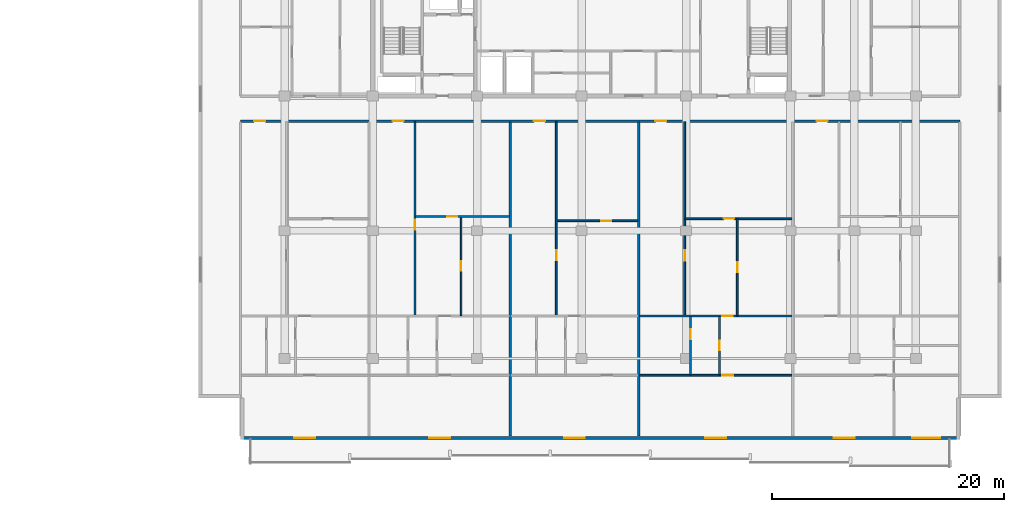
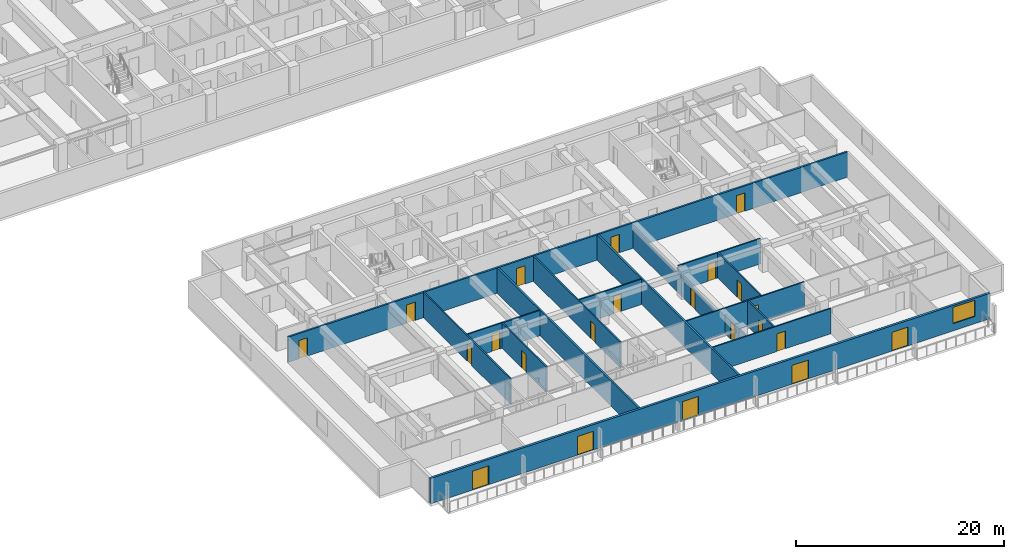
# One storey, part 5 of 23: 22 doors, 16 walls, 1 window, 23 openings.
"""IFC4 building model written with IfcOpenShell, lengths in metres."""

from ifc_helpers import new_model, si_unit, direction, frame, frame_2d, origin, place, context, subcontext, project, spatial, rectangle, extrude, material, layer, layer_set, type_object, element, fill, save


model = new_model("IFC4")

# Units and contexts
model_context = context("Model", 3, precision=1e-05, world=origin(), true_north=direction((0.0, 1.0)))
body_context = subcontext(model_context, "Body", "Model", "MODEL_VIEW")
ifc_project = project(units=[si_unit("LENGTHUNIT", "METRE"), si_unit("AREAUNIT", "SQUARE_METRE"), si_unit("VOLUMEUNIT", "CUBIC_METRE"), si_unit("PLANEANGLEUNIT", "RADIAN"), si_unit("MASSUNIT", "GRAM", prefix="KILO")], contexts=[model_context])

# Site, building, storey
site_placement = place(None, origin())
site = spatial("IfcSite", under=ifc_project, at=site_placement, CompositionType="ELEMENT")
building_placement = place(site_placement, origin())
building = spatial("IfcBuilding", under=site, at=building_placement, Name="Korimba Cascade Residences", CompositionType="ELEMENT")
storey_placement = place(building_placement, frame((0.0, 0.0, 30.5)))
storey = spatial("IfcBuildingStorey", under=building, at=storey_placement, Name="L07", CompositionType="ELEMENT", Elevation=30.5)

# Wall, openings, doors, window
ifc_material_1 = material(Name="Precast concrete C40/50", Category="concrete")
ifc_layer_1 = layer(ifc_material_1, 0.25)
ifc_layer_set_1 = layer_set([ifc_layer_1], Name="Precast concrete C40/50")
wall_type_1 = type_object("IfcWallType", Name="EW-LOG-250", PredefinedType="STANDARD", material=ifc_layer_set_1)
wall_1_placement = place(storey_placement, frame((70.699951171875, -11.050048828125, 0.0), z_axis=(0.0, 0.0, 1.0), x_axis=(1.0, 0.0, 0.0)))
wall_1 = element("IfcWall", 1, at=wall_1_placement, inside=storey, type_object=wall_type_1, Name="L07 T2 Perimeter Stone Wall E00", PredefinedType="STANDARD", context=body_context, shape_type="SweptSolid", body=[
    extrude(rectangle(XDim=62.0, YDim=0.25, at=frame_2d((31.0, 0.0))), origin(), (0.0, 0.0, 1.0), 2.969970703125),
])
opening_1_placement = place(wall_1_placement, frame((4.6357421875, 0.0, 0.0)))
opening_1 = element("IfcOpeningElement", 2, at=opening_1_placement, cuts=wall_1, Name="Opening D-LG1", PredefinedType="OPENING", context=body_context, shape_type="SweptSolid", body=[
    extrude(rectangle(XDim=1.800048828125, YDim=2.199951171875, at=frame_2d((0.89990234375, 1.10009765625))), frame((0.0, 0.135009765625, 0.0), z_axis=(0.0, -1.0, 0.0), x_axis=(1.0, 0.0, 0.0)), (0.0, 0.0, 1.0), 0.27001953125),
])
opening_2_placement = place(wall_1_placement, frame((16.2607421875, 0.0, 0.0)))
opening_2 = element("IfcOpeningElement", 3, at=opening_2_placement, cuts=wall_1, Name="Opening D-LG1", PredefinedType="OPENING", context=body_context, shape_type="SweptSolid", body=[
    extrude(rectangle(XDim=1.800048828125, YDim=2.199951171875, at=frame_2d((0.89990234375, 1.10009765625))), frame((0.0, 0.135009765625, 0.0), z_axis=(0.0, -1.0, 0.0), x_axis=(1.0, 0.0, 0.0)), (0.0, 0.0, 1.0), 0.27001953125),
])
opening_3_placement = place(wall_1_placement, frame((27.8857421875, 0.0, 0.0)))
opening_3 = element("IfcOpeningElement", 4, at=opening_3_placement, cuts=wall_1, Name="Opening D-LG1", PredefinedType="OPENING", context=body_context, shape_type="SweptSolid", body=[
    extrude(rectangle(XDim=1.800048828125, YDim=2.199951171875, at=frame_2d((0.89990234375, 1.10009765625))), frame((0.0, 0.135009765625, 0.0), z_axis=(0.0, -1.0, 0.0), x_axis=(1.0, 0.0, 0.0)), (0.0, 0.0, 1.0), 0.27001953125),
])
opening_4_placement = place(wall_1_placement, frame((40.064208984375, 0.0, 0.0)))
opening_4 = element("IfcOpeningElement", 5, at=opening_4_placement, cuts=wall_1, Name="Opening D-LG1", PredefinedType="OPENING", context=body_context, shape_type="SweptSolid", body=[
    extrude(rectangle(XDim=1.800048828125, YDim=2.199951171875, at=frame_2d((0.89990234375, 1.10009765625))), frame((0.0, 0.135009765625, 0.0), z_axis=(0.0, -1.0, 0.0), x_axis=(1.0, 0.0, 0.0)), (0.0, 0.0, 1.0), 0.27001953125),
])
opening_5_placement = place(wall_1_placement, frame((51.12353515625, 0.0, 0.0)))
opening_5 = element("IfcOpeningElement", 6, at=opening_5_placement, cuts=wall_1, Name="Opening D-LG1", PredefinedType="OPENING", context=body_context, shape_type="SweptSolid", body=[
    extrude(rectangle(XDim=1.800048828125, YDim=2.199951171875, at=frame_2d((0.89990234375, 1.10009765625))), frame((0.0, 0.135009765625, 0.0), z_axis=(0.0, -1.0, 0.0), x_axis=(1.0, 0.0, 0.0)), (0.0, 0.0, 1.0), 0.27001953125),
])
opening_6_placement = place(wall_1_placement, frame((57.89990234375, 0.0, 0.85009765625)))
opening_6 = element("IfcOpeningElement", 7, at=opening_6_placement, cuts=wall_1, Name="Opening W-01", PredefinedType="OPENING", context=body_context, shape_type="SweptSolid", body=[
    extrude(rectangle(XDim=2.39990234375, YDim=1.89990234375, at=frame_2d((1.199951171875, 0.949951171875))), frame((0.0, 0.135009765625, 0.0), z_axis=(0.0, -1.0, 0.0), x_axis=(1.0, 0.0, 0.0)), (0.0, 0.0, 1.0), 0.27001953125),
])
ifc_material_2 = material(Name="Glazed Aluminium Loggia Sliding Door", Category="aluminium")
door_type_1 = type_object("IfcDoorType", Name="DR-EXT-LOG", OperationType="NOTDEFINED", PredefinedType="DOOR", material=ifc_material_2)
door_1_placement = place(opening_1_placement, origin())
door_1 = element("IfcDoor", 8, at=door_1_placement, inside=storey, type_object=door_type_1, Name="L07 T2 Loggia Sliding Door 3", OperationType="SLIDING_TO_RIGHT", OverallHeight=2.199951171875, OverallWidth=1.800048828125, PredefinedType="DOOR", context=body_context, shape_type="SweptSolid", body=[
    extrude(rectangle(XDim=1.800048828125, YDim=2.199951171875, at=frame_2d((0.89990234375, 1.10009765625))), frame((0.0, 0.02490234375, 0.0), z_axis=(0.0, -1.0, 0.0), x_axis=(1.0, 0.0, 0.0)), (0.0, 0.0, 1.0), 0.050048828125),
])
fill(opening_1, door_1)
door_2_placement = place(opening_2_placement, origin())
door_2 = element("IfcDoor", 9, at=door_2_placement, inside=storey, type_object=door_type_1, Name="L07 T2 Loggia Sliding Door 4", OperationType="SLIDING_TO_RIGHT", OverallHeight=2.199951171875, OverallWidth=1.800048828125, PredefinedType="DOOR", context=body_context, shape_type="SweptSolid", body=[
    extrude(rectangle(XDim=1.800048828125, YDim=2.199951171875, at=frame_2d((0.89990234375, 1.10009765625))), frame((0.0, 0.02490234375, 0.0), z_axis=(0.0, -1.0, 0.0), x_axis=(1.0, 0.0, 0.0)), (0.0, 0.0, 1.0), 0.050048828125),
])
fill(opening_2, door_2)
door_3_placement = place(opening_3_placement, origin())
door_3 = element("IfcDoor", 10, at=door_3_placement, inside=storey, type_object=door_type_1, Name="L07 T2 Loggia Sliding Door 5", OperationType="SLIDING_TO_RIGHT", OverallHeight=2.199951171875, OverallWidth=1.800048828125, PredefinedType="DOOR", context=body_context, shape_type="SweptSolid", body=[
    extrude(rectangle(XDim=1.800048828125, YDim=2.199951171875, at=frame_2d((0.89990234375, 1.10009765625))), frame((0.0, 0.02490234375, 0.0), z_axis=(0.0, -1.0, 0.0), x_axis=(1.0, 0.0, 0.0)), (0.0, 0.0, 1.0), 0.050048828125),
])
fill(opening_3, door_3)
door_4_placement = place(opening_4_placement, origin())
door_4 = element("IfcDoor", 11, at=door_4_placement, inside=storey, type_object=door_type_1, Name="L07 T2 Loggia Sliding Door 6", OperationType="SLIDING_TO_RIGHT", OverallHeight=2.199951171875, OverallWidth=1.800048828125, PredefinedType="DOOR", context=body_context, shape_type="SweptSolid", body=[
    extrude(rectangle(XDim=1.800048828125, YDim=2.199951171875, at=frame_2d((0.89990234375, 1.10009765625))), frame((0.0, 0.02490234375, 0.0), z_axis=(0.0, -1.0, 0.0), x_axis=(1.0, 0.0, 0.0)), (0.0, 0.0, 1.0), 0.050048828125),
])
fill(opening_4, door_4)
door_5_placement = place(opening_5_placement, origin())
door_5 = element("IfcDoor", 12, at=door_5_placement, inside=storey, type_object=door_type_1, Name="L07 T2 Loggia Sliding Door 7", OperationType="SLIDING_TO_RIGHT", OverallHeight=2.199951171875, OverallWidth=1.800048828125, PredefinedType="DOOR", context=body_context, shape_type="SweptSolid", body=[
    extrude(rectangle(XDim=1.800048828125, YDim=2.199951171875, at=frame_2d((0.89990234375, 1.10009765625))), frame((0.0, 0.02490234375, 0.0), z_axis=(0.0, -1.0, 0.0), x_axis=(1.0, 0.0, 0.0)), (0.0, 0.0, 1.0), 0.050048828125),
])
fill(opening_5, door_5)
ifc_material_3 = material(Name="Double-Glazed Aluminium Window", Category="aluminium")
window_type = type_object("IfcWindowType", Name="WIN-RES-2400", PartitioningType="DOUBLE_PANEL_VERTICAL", PredefinedType="WINDOW", material=ifc_material_3)
window_placement = place(opening_6_placement, origin())
window = element("IfcWindow", 13, at=window_placement, inside=storey, type_object=window_type, Name="L07 T2 South Facade Window 8", OverallHeight=1.89990234375, OverallWidth=2.39990234375, PartitioningType="DOUBLE_PANEL_VERTICAL", PredefinedType="WINDOW", context=body_context, shape_type="SweptSolid", body=[
    extrude(rectangle(XDim=2.39990234375, YDim=1.89990234375, at=frame_2d((1.199951171875, 0.949951171875))), frame((0.0, 0.030029296875, 0.0), z_axis=(0.0, -1.0, 0.0), x_axis=(1.0, 0.0, 0.0)), (0.0, 0.0, 1.0), 0.06005859375),
])
fill(opening_6, window)

# Walls
ifc_layer_2 = layer(ifc_material_1, 0.199951171875)
ifc_layer_set_2 = layer_set([ifc_layer_2], Name="Precast concrete C40/50")
wall_type_2 = type_object("IfcWallType", Name="WAL-IT-200", PredefinedType="PARTITIONING", material=ifc_layer_set_2)
for number, where, z_axis, x_axis, name in (
    (14, (93.949951171875, -10.89990234375, 0.0), (0.0, 0.0, 1.0), (0.0, 1.0, 0.0), "L07 Partition Wall WAL-L07-T2-DEM-2"),
    (15, (105.021484375, -10.89990234375, 0.0), (0.0, 0.0, 1.0), (0.0, 1.0, 0.0), "L07 Partition Wall WAL-L07-T2-DEM-3"),
):
    element("IfcWall", number, at=place(storey_placement, frame(where, z_axis=z_axis, x_axis=x_axis)), inside=storey, type_object=wall_type_2, Name=name, PredefinedType="PARTITIONING", context=body_context, shape_type="SweptSolid", body=[
        extrude(rectangle(XDim=27.06982421875, YDim=0.199951171875, at=frame_2d((13.534912109375, 0.0))), origin(), (0.0, 0.0, 1.0), 2.969970703125),
    ])

# Wall, openings, doors
wall_2_placement = place(storey_placement, frame((70.699951171875, 16.25, 0.0), z_axis=(0.0, 0.0, 1.0), x_axis=(1.0, 0.0, 0.0)))
wall_2 = element("IfcWall", 16, at=wall_2_placement, inside=storey, type_object=wall_type_2, Name="L07 Partition Wall WAL-L07-T2-CORS", PredefinedType="PARTITIONING", context=body_context, shape_type="SweptSolid", body=[
    extrude(rectangle(XDim=62.0, YDim=0.199951171875, at=frame_2d((31.0, 0.0))), origin(), (0.0, 0.0, 1.0), 2.969970703125),
])
opening_7_placement = place(wall_2_placement, frame((1.18603515625, 0.0, 0.0)))
opening_7 = element("IfcOpeningElement", 17, at=opening_7_placement, cuts=wall_2, Name="Opening D-UN1", PredefinedType="OPENING", context=body_context, shape_type="SweptSolid", body=[
    extrude(rectangle(XDim=0.949951171875, YDim=2.14990234375, at=frame_2d((0.47509765625, 1.074951171875))), frame((0.0, 0.10986328125, 0.0), z_axis=(0.0, -1.0, 0.0), x_axis=(1.0, 0.0, 0.0)), (0.0, 0.0, 1.0), 0.219970703125),
])
opening_8_placement = place(wall_2_placement, frame((13.116455078125, 0.0, 0.0)))
opening_8 = element("IfcOpeningElement", 18, at=opening_8_placement, cuts=wall_2, Name="Opening D-UN1", PredefinedType="OPENING", context=body_context, shape_type="SweptSolid", body=[
    extrude(rectangle(XDim=0.949951171875, YDim=2.14990234375, at=frame_2d((0.47509765625, 1.074951171875))), frame((0.0, 0.10986328125, 0.0), z_axis=(0.0, -1.0, 0.0), x_axis=(1.0, 0.0, 0.0)), (0.0, 0.0, 1.0), 0.219970703125),
])
opening_9_placement = place(wall_2_placement, frame((25.294921875, 0.0, 0.0)))
opening_9 = element("IfcOpeningElement", 19, at=opening_9_placement, cuts=wall_2, Name="Opening D-UN1", PredefinedType="OPENING", context=body_context, shape_type="SweptSolid", body=[
    extrude(rectangle(XDim=0.949951171875, YDim=2.14990234375, at=frame_2d((0.47509765625, 1.074951171875))), frame((0.0, 0.10986328125, 0.0), z_axis=(0.0, -1.0, 0.0), x_axis=(1.0, 0.0, 0.0)), (0.0, 0.0, 1.0), 0.219970703125),
])
opening_10_placement = place(wall_2_placement, frame((35.747314453125, 0.0, 0.0)))
opening_10 = element("IfcOpeningElement", 20, at=opening_10_placement, cuts=wall_2, Name="Opening D-UN1", PredefinedType="OPENING", context=body_context, shape_type="SweptSolid", body=[
    extrude(rectangle(XDim=0.949951171875, YDim=2.14990234375, at=frame_2d((0.47509765625, 1.074951171875))), frame((0.0, 0.10986328125, 0.0), z_axis=(0.0, -1.0, 0.0), x_axis=(1.0, 0.0, 0.0)), (0.0, 0.0, 1.0), 0.219970703125),
])
opening_11_placement = place(wall_2_placement, frame((49.652099609375, 0.0, 0.0)))
opening_11 = element("IfcOpeningElement", 21, at=opening_11_placement, cuts=wall_2, Name="Opening D-UN1", PredefinedType="OPENING", context=body_context, shape_type="SweptSolid", body=[
    extrude(rectangle(XDim=0.949951171875, YDim=2.14990234375, at=frame_2d((0.47509765625, 1.074951171875))), frame((0.0, 0.10986328125, 0.0), z_axis=(0.0, -1.0, 0.0), x_axis=(1.0, 0.0, 0.0)), (0.0, 0.0, 1.0), 0.219970703125),
])
ifc_material_4 = material(Name="Fire-Rated Hardwood Apartment Entrance Door", Category="wood")
door_type_2 = type_object("IfcDoorType", Name="DR-FD60-950", OperationType="NOTDEFINED", PredefinedType="DOOR", material=ifc_material_4)
door_6_placement = place(opening_7_placement, origin())
door_6 = element("IfcDoor", 22, at=door_6_placement, inside=storey, type_object=door_type_2, Name="Unit L07-T2-U01 Entrance Door", OperationType="SINGLE_SWING_LEFT", OverallHeight=2.14990234375, OverallWidth=0.949951171875, PredefinedType="DOOR", context=body_context, shape_type="SweptSolid", body=[
    extrude(rectangle(XDim=0.949951171875, YDim=2.14990234375, at=frame_2d((0.47509765625, 1.074951171875))), frame((0.0, 0.02490234375, 0.0), z_axis=(0.0, -1.0, 0.0), x_axis=(1.0, 0.0, 0.0)), (0.0, 0.0, 1.0), 0.050048828125),
])
fill(opening_7, door_6)
door_7_placement = place(opening_8_placement, origin())
door_7 = element("IfcDoor", 23, at=door_7_placement, inside=storey, type_object=door_type_2, Name="Unit L07-T2-U02 Entrance Door", OperationType="SINGLE_SWING_RIGHT", OverallHeight=2.14990234375, OverallWidth=0.949951171875, PredefinedType="DOOR", context=body_context, shape_type="SweptSolid", body=[
    extrude(rectangle(XDim=0.949951171875, YDim=2.14990234375, at=frame_2d((0.47509765625, 1.074951171875))), frame((0.0, 0.02490234375, 0.0), z_axis=(0.0, -1.0, 0.0), x_axis=(1.0, 0.0, 0.0)), (0.0, 0.0, 1.0), 0.050048828125),
])
fill(opening_8, door_7)
door_8_placement = place(opening_9_placement, origin())
door_8 = element("IfcDoor", 24, at=door_8_placement, inside=storey, type_object=door_type_2, Name="Unit L07-T2-U03 Entrance Door", OperationType="SINGLE_SWING_LEFT", OverallHeight=2.14990234375, OverallWidth=0.949951171875, PredefinedType="DOOR", context=body_context, shape_type="SweptSolid", body=[
    extrude(rectangle(XDim=0.949951171875, YDim=2.14990234375, at=frame_2d((0.47509765625, 1.074951171875))), frame((0.0, 0.02490234375, 0.0), z_axis=(0.0, -1.0, 0.0), x_axis=(1.0, 0.0, 0.0)), (0.0, 0.0, 1.0), 0.050048828125),
])
fill(opening_9, door_8)
door_9_placement = place(opening_10_placement, origin())
door_9 = element("IfcDoor", 25, at=door_9_placement, inside=storey, type_object=door_type_2, Name="Unit L07-T2-U04 Entrance Door", OperationType="SINGLE_SWING_RIGHT", OverallHeight=2.14990234375, OverallWidth=0.949951171875, PredefinedType="DOOR", context=body_context, shape_type="SweptSolid", body=[
    extrude(rectangle(XDim=0.949951171875, YDim=2.14990234375, at=frame_2d((0.47509765625, 1.074951171875))), frame((0.0, 0.02490234375, 0.0), z_axis=(0.0, -1.0, 0.0), x_axis=(1.0, 0.0, 0.0)), (0.0, 0.0, 1.0), 0.050048828125),
])
fill(opening_10, door_9)
door_10_placement = place(opening_11_placement, origin())
door_10 = element("IfcDoor", 26, at=door_10_placement, inside=storey, type_object=door_type_2, Name="Unit L07-T2-U05 Entrance Door", OperationType="SINGLE_SWING_LEFT", OverallHeight=2.14990234375, OverallWidth=0.949951171875, PredefinedType="DOOR", context=body_context, shape_type="SweptSolid", body=[
    extrude(rectangle(XDim=0.949951171875, YDim=2.14990234375, at=frame_2d((0.47509765625, 1.074951171875))), frame((0.0, 0.02490234375, 0.0), z_axis=(0.0, -1.0, 0.0), x_axis=(1.0, 0.0, 0.0)), (0.0, 0.0, 1.0), 0.050048828125),
])
fill(opening_11, door_10)

# Wall, opening, door
ifc_material_5 = material(Name="Insulated Acoustic Stud Partition", Category="gypsum")
ifc_layer_3 = layer(ifc_material_5, 0.14990234375)
ifc_layer_set_3 = layer_set([ifc_layer_3], Name="Insulated Acoustic Stud Partition")
wall_type_3 = type_object("IfcWallType", Name="WAL-PART-150", PredefinedType="PARTITIONING", material=ifc_layer_set_3)
wall_3_placement = place(storey_placement, frame((89.7158203125, -0.510009765625, 0.0), z_axis=(0.0, 0.0, 1.0), x_axis=(0.0, 1.0, 0.0)))
wall_3 = element("IfcWall", 27, at=wall_3_placement, inside=storey, type_object=wall_type_3, Name="L07 Partition Wall WAL-L07-T2-U02-FMV", PredefinedType="PARTITIONING", context=body_context, shape_type="SweptSolid", body=[
    extrude(rectangle(XDim=8.530029296875, YDim=0.14990234375, at=frame_2d((4.26513671875, 0.0))), origin(), (0.0, 0.0, 1.0), 2.969970703125),
])
opening_12_placement = place(wall_3_placement, frame((3.844970703125, 0.0, 0.0)))
opening_12 = element("IfcOpeningElement", 28, at=opening_12_placement, cuts=wall_3, Name="Opening D-BT1", PredefinedType="OPENING", context=body_context, shape_type="SweptSolid", body=[
    extrude(rectangle(XDim=0.840087890625, YDim=2.0400390625, at=frame_2d((0.419921875, 1.02001953125))), frame((0.0, 0.0849609375, 0.0), z_axis=(0.0, -1.0, 0.0), x_axis=(1.0, 0.0, 0.0)), (0.0, 0.0, 1.0), 0.169921875),
])
ifc_material_6 = material(Name="Moisture-Resistant Bathroom Timber Door", Category="wood")
door_type_3 = type_object("IfcDoorType", Name="DR-INT-850", OperationType="NOTDEFINED", PredefinedType="DOOR", material=ifc_material_6)
door_11_placement = place(opening_12_placement, origin())
door_11 = element("IfcDoor", 29, at=door_11_placement, inside=storey, type_object=door_type_3, Name="L07-T2-U02 Wardrobe Door", OperationType="SINGLE_SWING_RIGHT", OverallHeight=2.0400390625, OverallWidth=0.840087890625, PredefinedType="DOOR", context=body_context, shape_type="SweptSolid", body=[
    extrude(rectangle(XDim=0.840087890625, YDim=2.0400390625, at=frame_2d((0.419921875, 1.02001953125))), frame((0.0, 0.02490234375, 0.0), z_axis=(0.0, -1.0, 0.0), x_axis=(1.0, 0.0, 0.0)), (0.0, 0.0, 1.0), 0.050048828125),
])
fill(opening_12, door_11)

wall_4_placement = place(storey_placement, frame((85.801513671875, 8.02001953125, 0.0), z_axis=(0.0, 0.0, 1.0), x_axis=(1.0, 0.0, 0.0)))
wall_4 = element("IfcWall", 30, at=wall_4_placement, inside=storey, type_object=wall_type_3, Name="L07 Partition Wall WAL-L07-T2-U02-FMH", PredefinedType="PARTITIONING", context=body_context, shape_type="SweptSolid", body=[
    extrude(rectangle(XDim=8.068603515625, YDim=0.14990234375, at=frame_2d((4.0341796875, 0.0))), origin(), (0.0, 0.0, 1.0), 2.969970703125),
])
opening_13_placement = place(wall_4_placement, frame((2.7158203125, 0.0, 0.0)))
opening_13 = element("IfcOpeningElement", 31, at=opening_13_placement, cuts=wall_4, Name="Opening D-IN2", PredefinedType="OPENING", context=body_context, shape_type="SweptSolid", body=[
    extrude(rectangle(XDim=0.8798828125, YDim=2.06005859375, at=frame_2d((0.43994140625, 1.030029296875))), frame((0.0, 0.0849609375, 0.0), z_axis=(0.0, -1.0, 0.0), x_axis=(1.0, 0.0, 0.0)), (0.0, 0.0, 1.0), 0.169921875),
])
ifc_material_7 = material(Name="Acoustic Timber Bedroom Door", Category="wood")
door_type_4 = type_object("IfcDoorType", Name="DR-INT-880", OperationType="NOTDEFINED", PredefinedType="DOOR", material=ifc_material_7)
door_12_placement = place(opening_13_placement, origin())
door_12 = element("IfcDoor", 32, at=door_12_placement, inside=storey, type_object=door_type_4, Name="L07-T2-U02 Library Salon Door", OperationType="SINGLE_SWING_LEFT", OverallHeight=2.06005859375, OverallWidth=0.8798828125, PredefinedType="DOOR", context=body_context, shape_type="SweptSolid", body=[
    extrude(rectangle(XDim=0.8798828125, YDim=2.06005859375, at=frame_2d((0.43994140625, 1.030029296875))), frame((0.0, 0.02490234375, 0.0), z_axis=(0.0, -1.0, 0.0), x_axis=(1.0, 0.0, 0.0)), (0.0, 0.0, 1.0), 0.050048828125),
])
fill(opening_13, door_12)

wall_5_placement = place(storey_placement, frame((85.741455078125, -0.510009765625, 0.0), z_axis=(0.0, 0.0, 1.0), x_axis=(0.0, 1.0, 0.0)))
wall_5 = element("IfcWall", 33, at=wall_5_placement, inside=storey, type_object=wall_type_3, Name="L07 Partition Wall WAL-L07-T2-U02-FV", PredefinedType="PARTITIONING", context=body_context, shape_type="SweptSolid", body=[
    extrude(rectangle(XDim=16.699951171875, YDim=0.14990234375, at=frame_2d((8.35009765625, 0.0))), origin(), (0.0, 0.0, 1.0), 2.969970703125),
])
opening_14_placement = place(wall_5_placement, frame((7.39990234375, 0.0, 0.0)))
opening_14 = element("IfcOpeningElement", 34, at=opening_14_placement, cuts=wall_5, Name="Opening D-IN2", PredefinedType="OPENING", context=body_context, shape_type="SweptSolid", body=[
    extrude(rectangle(XDim=0.8798828125, YDim=2.06005859375, at=frame_2d((0.43994140625, 1.030029296875))), frame((0.0, 0.0849609375, 0.0), z_axis=(0.0, -1.0, 0.0), x_axis=(1.0, 0.0, 0.0)), (0.0, 0.0, 1.0), 0.169921875),
])
door_13_placement = place(opening_14_placement, origin())
door_13 = element("IfcDoor", 35, at=door_13_placement, inside=storey, type_object=door_type_4, Name="L07-T2-U02 Media Lounge Door", OperationType="SINGLE_SWING_RIGHT", OverallHeight=2.06005859375, OverallWidth=0.8798828125, PredefinedType="DOOR", context=body_context, shape_type="SweptSolid", body=[
    extrude(rectangle(XDim=0.8798828125, YDim=2.06005859375, at=frame_2d((0.43994140625, 1.030029296875))), frame((0.0, 0.02490234375, 0.0), z_axis=(0.0, -1.0, 0.0), x_axis=(1.0, 0.0, 0.0)), (0.0, 0.0, 1.0), 0.050048828125),
])
fill(opening_14, door_13)

wall_6_placement = place(storey_placement, frame((97.97998046875, 7.659912109375, 0.0), z_axis=(0.0, 0.0, 1.0), x_axis=(1.0, 0.0, 0.0)))
wall_6 = element("IfcWall", 36, at=wall_6_placement, inside=storey, type_object=wall_type_3, Name="L07 Partition Wall WAL-L07-T2-U03-FMH", PredefinedType="PARTITIONING", context=body_context, shape_type="SweptSolid", body=[
    extrude(rectangle(XDim=6.96142578125, YDim=0.14990234375, at=frame_2d((3.480712890625, 0.0))), origin(), (0.0, 0.0, 1.0), 2.969970703125),
])
opening_15_placement = place(wall_6_placement, frame((3.794189453125, 0.0, 0.0)))
opening_15 = element("IfcOpeningElement", 37, at=opening_15_placement, cuts=wall_6, Name="Opening D-IN2", PredefinedType="OPENING", context=body_context, shape_type="SweptSolid", body=[
    extrude(rectangle(XDim=0.8798828125, YDim=2.06005859375, at=frame_2d((0.43994140625, 1.030029296875))), frame((0.0, 0.0849609375, 0.0), z_axis=(0.0, -1.0, 0.0), x_axis=(1.0, 0.0, 0.0)), (0.0, 0.0, 1.0), 0.169921875),
])
door_14_placement = place(opening_15_placement, origin())
door_14 = element("IfcDoor", 38, at=door_14_placement, inside=storey, type_object=door_type_4, Name="L07-T2-U03 Library Salon Door", OperationType="SINGLE_SWING_LEFT", OverallHeight=2.06005859375, OverallWidth=0.8798828125, PredefinedType="DOOR", context=body_context, shape_type="SweptSolid", body=[
    extrude(rectangle(XDim=0.8798828125, YDim=2.06005859375, at=frame_2d((0.43994140625, 1.030029296875))), frame((0.0, 0.02490234375, 0.0), z_axis=(0.0, -1.0, 0.0), x_axis=(1.0, 0.0, 0.0)), (0.0, 0.0, 1.0), 0.050048828125),
])
fill(opening_15, door_14)

wall_7_placement = place(storey_placement, frame((97.919921875, -0.510009765625, 0.0), z_axis=(0.0, 0.0, 1.0), x_axis=(0.0, 1.0, 0.0)))
wall_7 = element("IfcWall", 39, at=wall_7_placement, inside=storey, type_object=wall_type_3, Name="L07 Partition Wall WAL-L07-T2-U03-FV", PredefinedType="PARTITIONING", context=body_context, shape_type="SweptSolid", body=[
    extrude(rectangle(XDim=16.699951171875, YDim=0.14990234375, at=frame_2d((8.35009765625, 0.0))), origin(), (0.0, 0.0, 1.0), 2.969970703125),
])
opening_16_placement = place(wall_7_placement, frame((4.765380859375, 0.0, 0.0)))
opening_16 = element("IfcOpeningElement", 40, at=opening_16_placement, cuts=wall_7, Name="Opening D-IN2", PredefinedType="OPENING", context=body_context, shape_type="SweptSolid", body=[
    extrude(rectangle(XDim=0.8798828125, YDim=2.06005859375, at=frame_2d((0.43994140625, 1.030029296875))), frame((0.0, 0.0849609375, 0.0), z_axis=(0.0, -1.0, 0.0), x_axis=(1.0, 0.0, 0.0)), (0.0, 0.0, 1.0), 0.169921875),
])
door_15_placement = place(opening_16_placement, origin())
door_15 = element("IfcDoor", 41, at=door_15_placement, inside=storey, type_object=door_type_4, Name="L07-T2-U03 Media Lounge Door", OperationType="SINGLE_SWING_RIGHT", OverallHeight=2.06005859375, OverallWidth=0.8798828125, PredefinedType="DOOR", context=body_context, shape_type="SweptSolid", body=[
    extrude(rectangle(XDim=0.8798828125, YDim=2.06005859375, at=frame_2d((0.43994140625, 1.030029296875))), frame((0.0, 0.02490234375, 0.0), z_axis=(0.0, -1.0, 0.0), x_axis=(1.0, 0.0, 0.0)), (0.0, 0.0, 1.0), 0.050048828125),
])
fill(opening_16, door_15)

wall_8_placement = place(storey_placement, frame((113.519287109375, -0.510009765625, 0.0), z_axis=(0.0, 0.0, 1.0), x_axis=(0.0, 1.0, 0.0)))
wall_8 = element("IfcWall", 42, at=wall_8_placement, inside=storey, type_object=wall_type_3, Name="L07 Partition Wall WAL-L07-T2-U04-FMV", PredefinedType="PARTITIONING", context=body_context, shape_type="SweptSolid", body=[
    extrude(rectangle(XDim=8.35009765625, YDim=0.14990234375, at=frame_2d((4.175048828125, 0.0))), origin(), (0.0, 0.0, 1.0), 2.969970703125),
])
opening_17_placement = place(wall_8_placement, frame((3.7548828125, 0.0, 0.0)))
opening_17 = element("IfcOpeningElement", 43, at=opening_17_placement, cuts=wall_8, Name="Opening D-BT1", PredefinedType="OPENING", context=body_context, shape_type="SweptSolid", body=[
    extrude(rectangle(XDim=0.840087890625, YDim=2.0400390625, at=frame_2d((0.419921875, 1.02001953125))), frame((0.0, 0.0849609375, 0.0), z_axis=(0.0, -1.0, 0.0), x_axis=(1.0, 0.0, 0.0)), (0.0, 0.0, 1.0), 0.169921875),
])
door_16_placement = place(opening_17_placement, origin())
door_16 = element("IfcDoor", 44, at=door_16_placement, inside=storey, type_object=door_type_3, Name="L07-T2-U04 Wardrobe Door", OperationType="SINGLE_SWING_LEFT", OverallHeight=2.0400390625, OverallWidth=0.840087890625, PredefinedType="DOOR", context=body_context, shape_type="SweptSolid", body=[
    extrude(rectangle(XDim=0.840087890625, YDim=2.0400390625, at=frame_2d((0.419921875, 1.02001953125))), frame((0.0, 0.02490234375, 0.0), z_axis=(0.0, -1.0, 0.0), x_axis=(1.0, 0.0, 0.0)), (0.0, 0.0, 1.0), 0.050048828125),
])
fill(opening_17, door_16)

wall_9_placement = place(storey_placement, frame((109.051513671875, 7.840087890625, 0.0), z_axis=(0.0, 0.0, 1.0), x_axis=(1.0, 0.0, 0.0)))
wall_9 = element("IfcWall", 45, at=wall_9_placement, inside=storey, type_object=wall_type_3, Name="L07 Partition Wall WAL-L07-T2-U04-FMH", PredefinedType="PARTITIONING", context=body_context, shape_type="SweptSolid", body=[
    extrude(rectangle(XDim=9.175537109375, YDim=0.14990234375, at=frame_2d((4.587890625, 0.0))), origin(), (0.0, 0.0, 1.0), 2.969970703125),
])
opening_18_placement = place(wall_9_placement, frame((3.307373046875, 0.0, 0.0)))
opening_18 = element("IfcOpeningElement", 46, at=opening_18_placement, cuts=wall_9, Name="Opening D-IN2", PredefinedType="OPENING", context=body_context, shape_type="SweptSolid", body=[
    extrude(rectangle(XDim=0.8798828125, YDim=2.06005859375, at=frame_2d((0.43994140625, 1.030029296875))), frame((0.0, 0.0849609375, 0.0), z_axis=(0.0, -1.0, 0.0), x_axis=(1.0, 0.0, 0.0)), (0.0, 0.0, 1.0), 0.169921875),
])
door_17_placement = place(opening_18_placement, origin())
door_17 = element("IfcDoor", 47, at=door_17_placement, inside=storey, type_object=door_type_4, Name="L07-T2-U04 Library Salon Door", OperationType="SINGLE_SWING_RIGHT", OverallHeight=2.06005859375, OverallWidth=0.8798828125, PredefinedType="DOOR", context=body_context, shape_type="SweptSolid", body=[
    extrude(rectangle(XDim=0.8798828125, YDim=2.06005859375, at=frame_2d((0.43994140625, 1.030029296875))), frame((0.0, 0.02490234375, 0.0), z_axis=(0.0, -1.0, 0.0), x_axis=(1.0, 0.0, 0.0)), (0.0, 0.0, 1.0), 0.050048828125),
])
fill(opening_18, door_17)

wall_10_placement = place(storey_placement, frame((108.991455078125, -0.510009765625, 0.0), z_axis=(0.0, 0.0, 1.0), x_axis=(0.0, 1.0, 0.0)))
wall_10 = element("IfcWall", 48, at=wall_10_placement, inside=storey, type_object=wall_type_3, Name="L07 Partition Wall WAL-L07-T2-U04-FV", PredefinedType="PARTITIONING", context=body_context, shape_type="SweptSolid", body=[
    extrude(rectangle(XDim=16.699951171875, YDim=0.14990234375, at=frame_2d((8.35009765625, 0.0))), origin(), (0.0, 0.0, 1.0), 2.219970703125),
])
opening_19_placement = place(wall_10_placement, frame((4.746826171875, 0.0, 0.0)))
opening_19 = element("IfcOpeningElement", 49, at=opening_19_placement, cuts=wall_10, Name="Opening D-IN2", PredefinedType="OPENING", context=body_context, shape_type="SweptSolid", body=[
    extrude(rectangle(XDim=0.8798828125, YDim=2.06005859375, at=frame_2d((0.43994140625, 1.030029296875))), frame((0.0, 0.0849609375, 0.0), z_axis=(0.0, -1.0, 0.0), x_axis=(1.0, 0.0, 0.0)), (0.0, 0.0, 1.0), 0.169921875),
])
door_18_placement = place(opening_19_placement, origin())
door_18 = element("IfcDoor", 50, at=door_18_placement, inside=storey, type_object=door_type_4, Name="L07-T2-U04 Media Lounge Door", OperationType="SINGLE_SWING_LEFT", OverallHeight=2.06005859375, OverallWidth=0.8798828125, PredefinedType="DOOR", context=body_context, shape_type="SweptSolid", body=[
    extrude(rectangle(XDim=0.8798828125, YDim=2.06005859375, at=frame_2d((0.43994140625, 1.030029296875))), frame((0.0, 0.02490234375, 0.0), z_axis=(0.0, -1.0, 0.0), x_axis=(1.0, 0.0, 0.0)), (0.0, 0.0, 1.0), 0.050048828125),
])
fill(opening_19, door_18)

wall_11_placement = place(storey_placement, frame((109.487060546875, -5.590087890625, 0.0), z_axis=(0.0, 0.0, 1.0), x_axis=(0.0, 1.0, 0.0)))
wall_11 = element("IfcWall", 51, at=wall_11_placement, inside=storey, type_object=wall_type_3, Name="L07 Partition Wall WAL-L07-T2-U04-CLS", PredefinedType="PARTITIONING", context=body_context, shape_type="SweptSolid", body=[
    extrude(rectangle(XDim=5.0, YDim=0.14990234375, at=frame_2d((2.5, 0.0))), origin(), (0.0, 0.0, 1.0), 2.219970703125),
])
opening_20_placement = place(wall_11_placement, frame((3.048828125, 0.0, 0.0)))
opening_20 = element("IfcOpeningElement", 52, at=opening_20_placement, cuts=wall_11, Name="Opening D-BT1", PredefinedType="OPENING", context=body_context, shape_type="SweptSolid", body=[
    extrude(rectangle(XDim=0.840087890625, YDim=2.0400390625, at=frame_2d((0.419921875, 1.02001953125))), frame((0.0, 0.0849609375, 0.0), z_axis=(0.0, -1.0, 0.0), x_axis=(1.0, 0.0, 0.0)), (0.0, 0.0, 1.0), 0.169921875),
])
door_19_placement = place(opening_20_placement, origin())
door_19 = element("IfcDoor", 53, at=door_19_placement, inside=storey, type_object=door_type_3, Name="L07-T2-U04 Closet Door", OperationType="SINGLE_SWING_RIGHT", OverallHeight=2.0400390625, OverallWidth=0.840087890625, PredefinedType="DOOR", context=body_context, shape_type="SweptSolid", body=[
    extrude(rectangle(XDim=0.840087890625, YDim=2.0400390625, at=frame_2d((0.419921875, 1.02001953125))), frame((0.0, 0.02490234375, 0.0), z_axis=(0.0, -1.0, 0.0), x_axis=(1.0, 0.0, 0.0)), (0.0, 0.0, 1.0), 0.050048828125),
])
fill(opening_20, door_19)

wall_12_placement = place(storey_placement, frame((111.987060546875, -5.590087890625, 0.0), z_axis=(0.0, 0.0, 1.0), x_axis=(0.0, 1.0, 0.0)))
wall_12 = element("IfcWall", 54, at=wall_12_placement, inside=storey, type_object=wall_type_3, Name="L07 Partition Wall WAL-L07-T2-U04-BM", PredefinedType="PARTITIONING", context=body_context, shape_type="SweptSolid", body=[
    extrude(rectangle(XDim=5.0, YDim=0.14990234375, at=frame_2d((2.5, 0.0))), origin(), (0.0, 0.0, 1.0), 2.969970703125),
])
opening_21_placement = place(wall_12_placement, frame((2.080078125, 0.0, 0.0)))
opening_21 = element("IfcOpeningElement", 55, at=opening_21_placement, cuts=wall_12, Name="Opening D-BT1", PredefinedType="OPENING", context=body_context, shape_type="SweptSolid", body=[
    extrude(rectangle(XDim=0.840087890625, YDim=2.0400390625, at=frame_2d((0.419921875, 1.02001953125))), frame((0.0, 0.0849609375, 0.0), z_axis=(0.0, -1.0, 0.0), x_axis=(1.0, 0.0, 0.0)), (0.0, 0.0, 1.0), 0.169921875),
])
door_20_placement = place(opening_21_placement, origin())
door_20 = element("IfcDoor", 56, at=door_20_placement, inside=storey, type_object=door_type_3, Name="L07-T2-U04 Bathroom Door", OperationType="SINGLE_SWING_LEFT", OverallHeight=2.0400390625, OverallWidth=0.840087890625, PredefinedType="DOOR", context=body_context, shape_type="SweptSolid", body=[
    extrude(rectangle(XDim=0.840087890625, YDim=2.0400390625, at=frame_2d((0.419921875, 1.02001953125))), frame((0.0, 0.02490234375, 0.0), z_axis=(0.0, -1.0, 0.0), x_axis=(1.0, 0.0, 0.0)), (0.0, 0.0, 1.0), 0.050048828125),
])
fill(opening_21, door_20)

wall_13_placement = place(storey_placement, frame((105.101318359375, -0.550048828125, 0.0), z_axis=(0.0, 0.0, 1.0), x_axis=(1.0, 0.0, 0.0)))
wall_13 = element("IfcWall", 57, at=wall_13_placement, inside=storey, type_object=wall_type_3, Name="L07 Partition Wall WAL-L07-T2-U04-MW", PredefinedType="PARTITIONING", context=body_context, shape_type="SweptSolid", body=[
    extrude(rectangle(XDim=13.125732421875, YDim=0.14990234375, at=frame_2d((6.56298828125, 0.0))), origin(), (0.0, 0.0, 1.0), 2.969970703125),
])
opening_22_placement = place(wall_13_placement, frame((7.105712890625, 0.0, 0.0)))
opening_22 = element("IfcOpeningElement", 58, at=opening_22_placement, cuts=wall_13, Name="Opening D-IN1", PredefinedType="OPENING", context=body_context, shape_type="SweptSolid", body=[
    extrude(rectangle(XDim=0.919921875, YDim=2.080078125, at=frame_2d((0.4599609375, 1.0400390625))), frame((0.0, 0.0849609375, 0.0), z_axis=(0.0, -1.0, 0.0), x_axis=(1.0, 0.0, 0.0)), (0.0, 0.0, 1.0), 0.169921875),
])
ifc_material_8 = material(Name="Acoustic Timber Living Door", Category="wood")
door_type_5 = type_object("IfcDoorType", Name="DR-INT-920", OperationType="NOTDEFINED", PredefinedType="DOOR", material=ifc_material_8)
door_21_placement = place(opening_22_placement, origin())
door_21 = element("IfcDoor", 59, at=door_21_placement, inside=storey, type_object=door_type_5, Name="L07-T2-U04 Studio Kitchen Door", OperationType="SINGLE_SWING_RIGHT", OverallHeight=2.080078125, OverallWidth=0.919921875, PredefinedType="DOOR", context=body_context, shape_type="SweptSolid", body=[
    extrude(rectangle(XDim=0.919921875, YDim=2.080078125, at=frame_2d((0.4599609375, 1.0400390625))), frame((0.0, 0.02490234375, 0.0), z_axis=(0.0, -1.0, 0.0), x_axis=(1.0, 0.0, 0.0)), (0.0, 0.0, 1.0), 0.050048828125),
])
fill(opening_22, door_21)

wall_14_placement = place(storey_placement, frame((105.101318359375, -5.64990234375, 0.0), z_axis=(0.0, 0.0, 1.0), x_axis=(1.0, 0.0, 0.0)))
wall_14 = element("IfcWall", 60, at=wall_14_placement, inside=storey, type_object=wall_type_3, Name="L07 Partition Wall WAL-L07-T2-U04-HZ", PredefinedType="PARTITIONING", context=body_context, shape_type="SweptSolid", body=[
    extrude(rectangle(XDim=13.125732421875, YDim=0.14990234375, at=frame_2d((6.56298828125, 0.0))), origin(), (0.0, 0.0, 1.0), 2.969970703125),
])
opening_23_placement = place(wall_14_placement, frame((7.1357421875, 0.0, 0.0)))
opening_23 = element("IfcOpeningElement", 61, at=opening_23_placement, cuts=wall_14, Name="Opening D-IN1", PredefinedType="OPENING", context=body_context, shape_type="SweptSolid", body=[
    extrude(rectangle(XDim=0.919921875, YDim=2.080078125, at=frame_2d((0.4599609375, 1.0400390625))), frame((0.0, 0.0849609375, 0.0), z_axis=(0.0, -1.0, 0.0), x_axis=(1.0, 0.0, 0.0)), (0.0, 0.0, 1.0), 0.169921875),
])
door_22_placement = place(opening_23_placement, origin())
door_22 = element("IfcDoor", 62, at=door_22_placement, inside=storey, type_object=door_type_5, Name="L07-T2-U04 Studio Door", OperationType="SINGLE_SWING_LEFT", OverallHeight=2.080078125, OverallWidth=0.919921875, PredefinedType="DOOR", context=body_context, shape_type="SweptSolid", body=[
    extrude(rectangle(XDim=0.919921875, YDim=2.080078125, at=frame_2d((0.4599609375, 1.0400390625))), frame((0.0, 0.02490234375, 0.0), z_axis=(0.0, -1.0, 0.0), x_axis=(1.0, 0.0, 0.0)), (0.0, 0.0, 1.0), 0.050048828125),
])
fill(opening_23, door_22)

save(model, "model.ifc")
